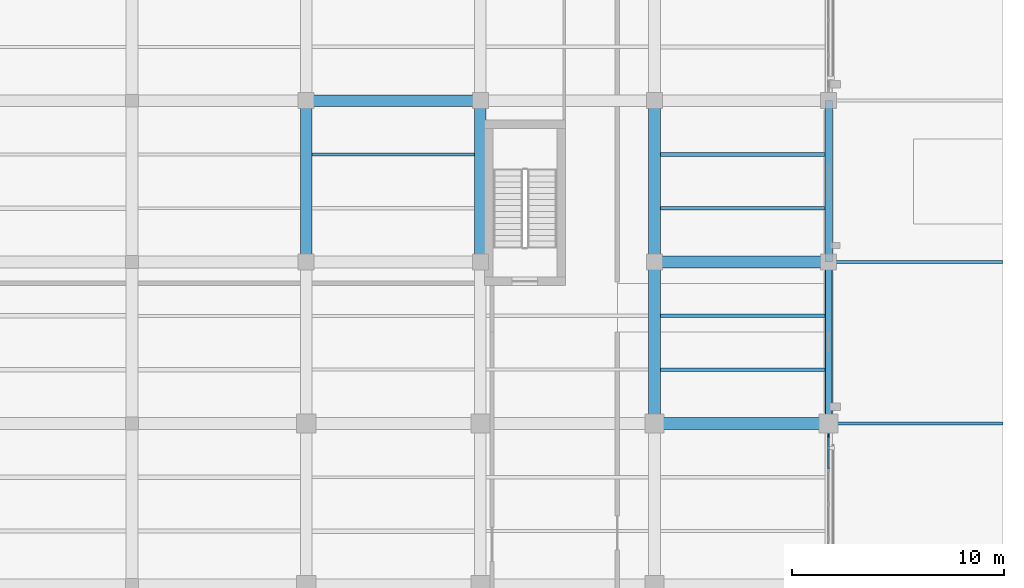
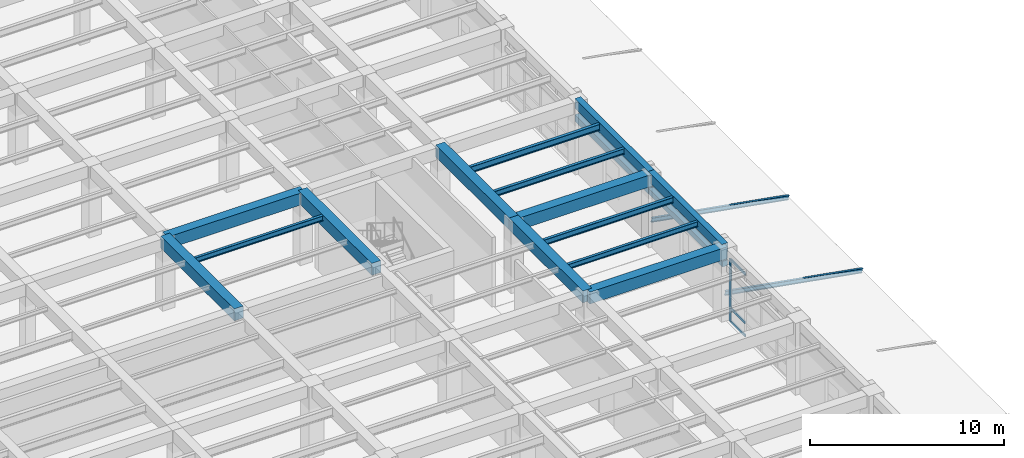
# One storey, part 24 of 57: 16 beams, 6 members, 1 element without a shape of its own.
"""IFC4 building model written with IfcOpenShell, lengths in metres."""

from ifc_helpers import new_model, si_unit, direction, frame, origin, origin_2d, place, context, subcontext, project, spatial, rectangle, i_section, extrude, material, material_profile, profile_set, type_object, element, aggregate, save


model = new_model("IFC4")

# Units and contexts
model_context = context("Model", 3, precision=1e-05, world=origin(), true_north=direction((0.0, 1.0)))
body_context = subcontext(model_context, "Body", "Model", "MODEL_VIEW")
ifc_project = project(units=[si_unit("LENGTHUNIT", "METRE"), si_unit("AREAUNIT", "SQUARE_METRE"), si_unit("VOLUMEUNIT", "CUBIC_METRE"), si_unit("PLANEANGLEUNIT", "RADIAN"), si_unit("MASSUNIT", "GRAM", prefix="KILO")], contexts=[model_context])

# Site, building, storey
site_placement = place(None, origin())
site = spatial("IfcSite", under=ifc_project, at=site_placement, CompositionType="ELEMENT")
building_placement = place(site_placement, origin())
building = spatial("IfcBuilding", under=site, at=building_placement, Name="Qandaris Square Conservatory and Botanical Centre", CompositionType="ELEMENT")
storey_placement = place(building_placement, frame((0.0, 0.0, 5.39990234375)))
storey = spatial("IfcBuildingStorey", under=building, at=storey_placement, Name="L01", CompositionType="ELEMENT", Elevation=5.39990234375)

# Beams
ifc_material_1 = material(Name="Steel S355", Category="steel")
ifc_material_profile_1 = material_profile(ifc_material_1, i_section(OverallWidth=0.159912109375, OverallDepth=0.330078125, WebThickness=0.007568359375, FlangeThickness=0.011474609375, FilletRadius=0.01806640625, at=origin_2d()), Name="IPE 330")
ifc_profile_set_1 = profile_set([ifc_material_profile_1], Name="Steel S355")
beam_type_1 = type_object("IfcBeamType", Name="Composite Lab Joist IPE 330", PredefinedType="JOIST", material=ifc_profile_set_1)
beam_1_placement = place(storey_placement, frame((139.47509765625, 74.86669921875, 4.34521484375), z_axis=(1.0, 0.0, 0.0), x_axis=(0.0, 1.0, 0.0)))
element("IfcBeam", 1, at=beam_1_placement, inside=storey, type_object=beam_type_1, Name="L01 Composite Joist 1243", PredefinedType="JOIST", context=body_context, shape_type="SweptSolid", body=[
    extrude(i_section(OverallWidth=0.159912109375, OverallDepth=0.330078125, WebThickness=0.007568359375, FlangeThickness=0.011474609375, FilletRadius=0.01806640625, at=origin_2d()), origin(), (0.0, 0.0, 1.0), 7.64990234375),
])
beam_2_placement = place(storey_placement, frame((155.875, 64.7333984375, 4.34521484375), z_axis=(1.0, 0.0, 0.0), x_axis=(0.0, 1.0, 0.0)))
element("IfcBeam", 2, at=beam_2_placement, inside=storey, type_object=beam_type_1, Name="L01 Composite Joist 1279", PredefinedType="JOIST", context=body_context, shape_type="SweptSolid", body=[
    extrude(i_section(OverallWidth=0.159912109375, OverallDepth=0.330078125, WebThickness=0.007568359375, FlangeThickness=0.011474609375, FilletRadius=0.01806640625, at=origin_2d()), origin(), (0.0, 0.0, 1.0), 7.75),
])
ifc_material_profile_2 = material_profile(ifc_material_1, i_section(OverallWidth=0.169921875, OverallDepth=0.360107421875, WebThickness=0.008056640625, FlangeThickness=0.0126953125, FilletRadius=0.01806640625, at=origin_2d()), Name="IPE 360")
ifc_profile_set_2 = profile_set([ifc_material_profile_2], Name="Steel S355")
beam_type_2 = type_object("IfcBeamType", Name="Composite Lab Joist IPE 360", PredefinedType="JOIST", material=ifc_profile_set_2)
for number, where, z_axis, x_axis, name in (
    (3, (155.875, 67.2666015625, 4.330078125), (1.0, 0.0, 0.0), (0.0, 1.0, 0.0), "L01 Composite Joist 1280"),
    (4, (155.875, 72.333251953125, 4.330078125), (1.0, 0.0, 0.0), (0.0, 1.0, 0.0), "L01 Composite Joist 1281"),
):
    element("IfcBeam", number, at=place(storey_placement, frame(where, z_axis=z_axis, x_axis=x_axis)), inside=storey, type_object=beam_type_2, Name=name, PredefinedType="JOIST", context=body_context, shape_type="SweptSolid", body=[
        extrude(i_section(OverallWidth=0.169921875, OverallDepth=0.360107421875, WebThickness=0.008056640625, FlangeThickness=0.0126953125, FilletRadius=0.01806640625, at=origin_2d()), origin(), (0.0, 0.0, 1.0), 7.75),
    ])
ifc_material_profile_3 = material_profile(ifc_material_1, i_section(OverallWidth=0.179931640625, OverallDepth=0.39990234375, WebThickness=0.008544921875, FlangeThickness=0.013427734375, FilletRadius=0.02099609375, at=origin_2d()), Name="IPE 400")
ifc_profile_set_3 = profile_set([ifc_material_profile_3], Name="Steel S355")
beam_type_3 = type_object("IfcBeamType", Name="Composite Plinth Joist IPE 400", PredefinedType="JOIST", material=ifc_profile_set_3)
beam_3_placement = place(storey_placement, frame((155.875, 74.86669921875, 4.31005859375), z_axis=(1.0, 0.0, 0.0), x_axis=(0.0, 1.0, 0.0)))
element("IfcBeam", 5, at=beam_3_placement, inside=storey, type_object=beam_type_3, Name="L01 Composite Joist 1282", PredefinedType="JOIST", context=body_context, shape_type="SweptSolid", body=[
    extrude(i_section(OverallWidth=0.179931640625, OverallDepth=0.39990234375, WebThickness=0.008544921875, FlangeThickness=0.013427734375, FilletRadius=0.02099609375, at=origin_2d()), origin(), (0.0, 0.0, 1.0), 7.75),
])

# Curtain wall, members
ifc_material_2 = material(Name="Anodised Aluminium", Category="aluminium")
curtain_wall_type = type_object("IfcCurtainWallType", Name="Unitised Curtain Wall CW-4-650x394", PredefinedType="USERDEFINED", material=ifc_material_2)
curtain_wall_placement = place(storey_placement, origin())
curtain_wall = element("IfcCurtainWall", 6, at=curtain_wall_placement, inside=storey, type_object=curtain_wall_type, Name="Curtain Wall CW-TWR-L01-2-6", ObjectType="GLAZED CURTAIN WALL", PredefinedType="USERDEFINED")
ifc_material_profile_4 = material_profile(ifc_material_2, rectangle(XDim=0.06494140625, YDim=0.179931640625, at=origin_2d()), Name="ALU-MUL 65x180")
ifc_profile_set_4 = profile_set([ifc_material_profile_4], Name="Anodised Aluminium")
member_type_1 = type_object("IfcMemberType", Name="Curtain Wall Mullion 65x180", PredefinedType="MULLION", material=ifc_profile_set_4)
member_1_placement = place(storey_placement, frame((163.800048828125, 61.617431640625, 0.0), z_axis=(0.0, 0.0, 1.0), x_axis=(-1.0, 0.0, 0.0)))
member_1 = element("IfcMember", 7, at=member_1_placement, type_object=member_type_1, Name="CW-4-650x394 mullion 5", PredefinedType="MULLION", context=body_context, shape_type="SweptSolid", body=[
    extrude(rectangle(XDim=0.06494140625, YDim=0.179931640625, at=origin_2d()), origin(), (0.0, 0.0, 1.0), 3.945068359375),
])
ifc_material_profile_5 = material_profile(ifc_material_2, rectangle(XDim=0.06494140625, YDim=0.139892578125, at=origin_2d()), Name="ALU-TRN 65x140")
ifc_profile_set_5 = profile_set([ifc_material_profile_5], Name="Anodised Aluminium")
member_type_2 = type_object("IfcMemberType", Name="Curtain Wall Transom 65x140", PredefinedType="USERDEFINED", material=ifc_profile_set_5)
member_2_placement = place(storey_placement, frame((163.800048828125, 60.0576171875, 0.03271484375), z_axis=(0.0, 1.0, 0.0), x_axis=(-1.0, 0.0, 0.0)))
member_2 = element("IfcMember", 8, at=member_2_placement, type_object=member_type_2, Name="CW-4-650x394 transom 4.1", ObjectType="TRANSOM", PredefinedType="USERDEFINED", context=body_context, shape_type="SweptSolid", body=[
    extrude(rectangle(XDim=0.06494140625, YDim=0.139892578125, at=origin_2d()), origin(), (0.0, 0.0, 1.0), 1.52734375),
])
member_3_placement = place(storey_placement, frame((163.800048828125, 60.0576171875, 0.85009765625), z_axis=(0.0, 1.0, 0.0), x_axis=(-1.0, 0.0, 0.0)))
member_3 = element("IfcMember", 9, at=member_3_placement, type_object=member_type_2, Name="CW-4-650x394 transom 4.2", ObjectType="TRANSOM", PredefinedType="USERDEFINED", context=body_context, shape_type="SweptSolid", body=[
    extrude(rectangle(XDim=0.06494140625, YDim=0.139892578125, at=origin_2d()), origin(), (0.0, 0.0, 1.0), 1.52734375),
])
member_4_placement = place(storey_placement, frame((163.800048828125, 60.0576171875, 3.91259765625), z_axis=(0.0, 1.0, 0.0), x_axis=(-1.0, 0.0, 0.0)))
member_4 = element("IfcMember", 10, at=member_4_placement, type_object=member_type_2, Name="CW-4-650x394 transom 4.3", ObjectType="TRANSOM", PredefinedType="USERDEFINED", context=body_context, shape_type="SweptSolid", body=[
    extrude(rectangle(XDim=0.06494140625, YDim=0.139892578125, at=origin_2d()), origin(), (0.0, 0.0, 1.0), 1.52734375),
])
aggregate(curtain_wall, [member_1, member_2, member_3, member_4])

# Beams
ifc_material_3 = material(Name="Precast concrete C40/50", Category="concrete")
ifc_material_profile_6 = material_profile(ifc_material_3, rectangle(XDim=0.300048828125, YDim=0.35009765625, at=origin_2d()), Name="RC-LN 300x350")
ifc_profile_set_6 = profile_set([ifc_material_profile_6], Name="Precast concrete C40/50")
beam_type_4 = type_object("IfcBeamType", Name="Precast Opening Lintel 300x350", PredefinedType="LINTEL", material=ifc_profile_set_6)
beam_4_placement = place(storey_placement, frame((163.800048828125, 62.199951171875, 3.295166015625), z_axis=(0.0, 1.0, 0.0), x_axis=(-1.0, 0.0, 0.0)))
element("IfcBeam", 11, at=beam_4_placement, inside=storey, type_object=beam_type_4, Name="Precast Lintel 020", PredefinedType="LINTEL", context=body_context, shape_type="SweptSolid", body=[
    extrude(rectangle(XDim=0.300048828125, YDim=0.35009765625, at=origin_2d()), origin(), (0.0, 0.0, 1.0), 7.60009765625),
])
ifc_material_profile_7 = material_profile(ifc_material_3, rectangle(XDim=0.35009765625, YDim=0.39990234375, at=origin_2d()), Name="RC-LN 350x400")
ifc_profile_set_7 = profile_set([ifc_material_profile_7], Name="Precast concrete C40/50")
beam_type_5 = type_object("IfcBeamType", Name="Precast Opening Lintel 350x400", PredefinedType="LINTEL", material=ifc_profile_set_7)
beam_5_placement = place(storey_placement, frame((163.800048828125, 69.800048828125, 3.320068359375), z_axis=(0.0, 1.0, 0.0), x_axis=(-1.0, 0.0, 0.0)))
element("IfcBeam", 12, at=beam_5_placement, inside=storey, type_object=beam_type_5, Name="Precast Lintel 021", PredefinedType="LINTEL", context=body_context, shape_type="SweptSolid", body=[
    extrude(rectangle(XDim=0.35009765625, YDim=0.39990234375, at=origin_2d()), origin(), (0.0, 0.0, 1.0), 7.599853515625),
])
ifc_material_4 = material(Name="Concrete C50/60", Category="concrete")
ifc_material_profile_8 = material_profile(ifc_material_4, rectangle(XDim=0.35009765625, YDim=0.60009765625, at=origin_2d()), Name="RC-SP 350x600")
ifc_profile_set_8 = profile_set([ifc_material_profile_8], Name="Concrete C50/60")
beam_type_6 = type_object("IfcBeamType", Name="RC Edge Spandrel Beam 350x600", PredefinedType="SPANDREL", material=ifc_profile_set_8)
beam_6_placement = place(storey_placement, frame((163.800048828125, 62.199951171875, 4.2451171875), z_axis=(0.0, 1.0, 0.0), x_axis=(-1.0, 0.0, 0.0)))
element("IfcBeam", 13, at=beam_6_placement, inside=storey, type_object=beam_type_6, Name="L01 Frame Beam 1149", PredefinedType="SPANDREL", context=body_context, shape_type="SweptSolid", body=[
    extrude(rectangle(XDim=0.35009765625, YDim=0.60009765625, at=origin_2d()), origin(), (0.0, 0.0, 1.0), 7.60009765625),
])
beam_7_placement = place(storey_placement, frame((163.800048828125, 69.800048828125, 4.2451171875), z_axis=(0.0, 1.0, 0.0), x_axis=(-1.0, 0.0, 0.0)))
element("IfcBeam", 14, at=beam_7_placement, inside=storey, type_object=beam_type_6, Name="L01 Frame Beam 1150", PredefinedType="SPANDREL", context=body_context, shape_type="SweptSolid", body=[
    extrude(rectangle(XDim=0.35009765625, YDim=0.60009765625, at=origin_2d()), origin(), (0.0, 0.0, 1.0), 7.599853515625),
])
ifc_material_profile_9 = material_profile(ifc_material_4, rectangle(XDim=0.550048828125, YDim=0.75, at=origin_2d()), Name="RC-BM 550x750")
ifc_profile_set_9 = profile_set([ifc_material_profile_9], Name="Concrete C50/60")
beam_type_7 = type_object("IfcBeamType", Name="RC Plinth Girder 550x750", PredefinedType="BEAM", material=ifc_profile_set_9)
for number, where, z_axis, x_axis, name in (
    (15, (155.60009765625, 62.199951171875, 4.14501953125), (1.0, 0.0, 0.0), (0.0, 1.0, 0.0), "L01 Frame Beam 0965"),
    (16, (155.60009765625, 69.800048828125, 4.14501953125), (1.0, 0.0, 0.0), (0.0, 1.0, 0.0), "L01 Frame Beam 0970"),
    (17, (139.199951171875, 77.39990234375, 4.14501953125), (1.0, 0.0, 0.0), (0.0, 1.0, 0.0), "L01 Frame Beam 0974"),
):
    element("IfcBeam", number, at=place(storey_placement, frame(where, z_axis=z_axis, x_axis=x_axis)), inside=storey, type_object=beam_type_7, Name=name, PredefinedType="BEAM", context=body_context, shape_type="SweptSolid", body=[
        extrude(rectangle(XDim=0.550048828125, YDim=0.75, at=origin_2d()), origin(), (0.0, 0.0, 1.0), 8.199951171875),
    ])
for number, where, z_axis, x_axis, name in (
    (18, (139.199951171875, 69.800048828125, 4.14501953125), (0.0, 1.0, 0.0), (-1.0, 0.0, 0.0), "L01 Frame Beam 1114"),
    (19, (147.39990234375, 69.800048828125, 4.14501953125), (0.0, 1.0, 0.0), (-1.0, 0.0, 0.0), "L01 Frame Beam 1126"),
):
    element("IfcBeam", number, at=place(storey_placement, frame(where, z_axis=z_axis, x_axis=x_axis)), inside=storey, type_object=beam_type_7, Name=name, PredefinedType="BEAM", context=body_context, shape_type="SweptSolid", body=[
        extrude(rectangle(XDim=0.550048828125, YDim=0.75, at=origin_2d()), origin(), (0.0, 0.0, 1.0), 7.599853515625),
    ])
beam_8_placement = place(storey_placement, frame((155.60009765625, 62.199951171875, 4.14501953125), z_axis=(0.0, 1.0, 0.0), x_axis=(-1.0, 0.0, 0.0)))
element("IfcBeam", 20, at=beam_8_placement, inside=storey, type_object=beam_type_7, Name="L01 Frame Beam 1137", PredefinedType="BEAM", context=body_context, shape_type="SweptSolid", body=[
    extrude(rectangle(XDim=0.550048828125, YDim=0.75, at=origin_2d()), origin(), (0.0, 0.0, 1.0), 7.60009765625),
])
beam_9_placement = place(storey_placement, frame((155.60009765625, 69.800048828125, 4.14501953125), z_axis=(0.0, 1.0, 0.0), x_axis=(-1.0, 0.0, 0.0)))
element("IfcBeam", 21, at=beam_9_placement, inside=storey, type_object=beam_type_7, Name="L01 Frame Beam 1138", PredefinedType="BEAM", context=body_context, shape_type="SweptSolid", body=[
    extrude(rectangle(XDim=0.550048828125, YDim=0.75, at=origin_2d()), origin(), (0.0, 0.0, 1.0), 7.599853515625),
])

# Members
ifc_material_profile_10 = material_profile(ifc_material_1, i_section(OverallWidth=0.135009765625, OverallDepth=0.27001953125, WebThickness=0.006591796875, FlangeThickness=0.01025390625, FilletRadius=0.014892578125, at=origin_2d()), Name="IPE 270")
ifc_profile_set_10 = profile_set([ifc_material_profile_10], Name="Steel S355")
member_type_3 = type_object("IfcMemberType", Name="Visitor Wing Prairie Rafter IPE 270", PredefinedType="RAFTER", material=ifc_profile_set_10)
for number, where, z_axis, x_axis, name in (
    (22, (172.0, 62.199951171875, 0.0), (-0.984924346364, 0.0, 0.172985640849), (0.0, -1.0, 0.0), "Colonnade East Rafter 047"),
    (23, (172.0, 69.800048828125, 0.0), (-0.984924346364, 0.0, 0.172985640849), (0.0, -1.0, 0.0), "Colonnade East Rafter 049"),
):
    element("IfcMember", number, at=place(storey_placement, frame(where, z_axis=z_axis, x_axis=x_axis)), inside=storey, type_object=member_type_3, Name=name, PredefinedType="RAFTER", context=body_context, shape_type="SweptSolid", body=[
        extrude(i_section(OverallWidth=0.135009765625, OverallDepth=0.27001953125, WebThickness=0.006591796875, FlangeThickness=0.01025390625, FilletRadius=0.014892578125, at=origin_2d()), origin(), (0.0, 0.0, 1.0), 8.325439453125),
    ])

save(model, "model.ifc")
